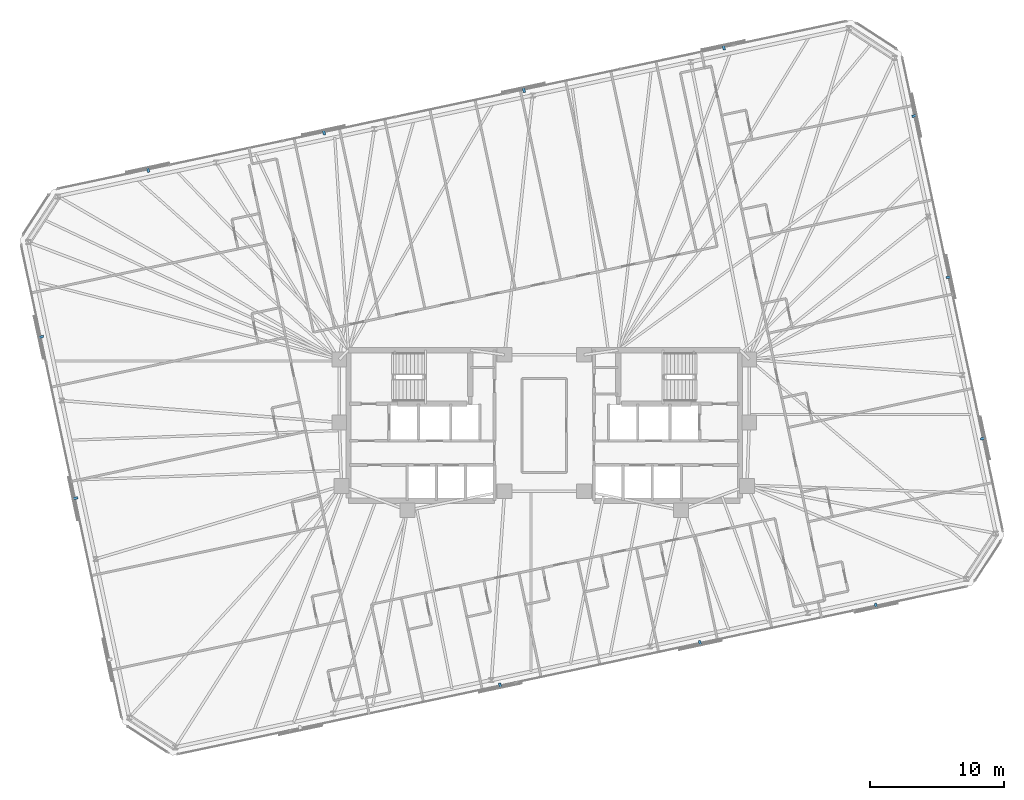
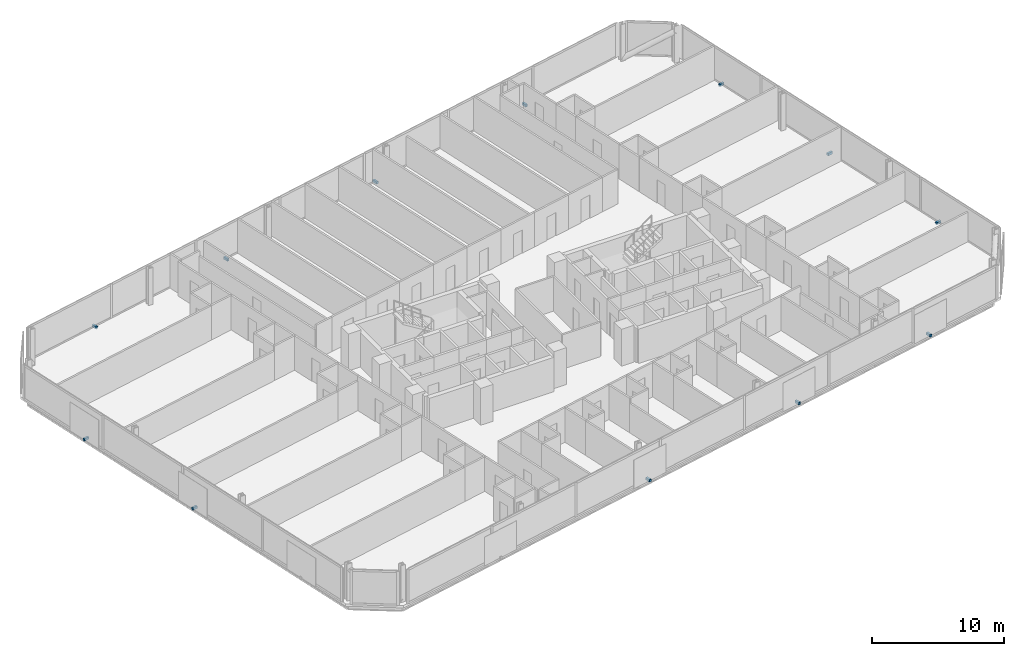
# One storey, part 20 of 21: 12 discrete accessories.
"""IFC4 building model written with IfcOpenShell, lengths in metres."""

from ifc_helpers import new_model, si_unit, direction, frame, origin, origin_2d, place, context, subcontext, project, spatial, rectangle, extrude, material, type_object, element, save


model = new_model("IFC4")

# Units and contexts
model_context = context("Model", 3, precision=1e-05, world=origin(), true_north=direction((0.0, 1.0)))
body_context = subcontext(model_context, "Body", "Model", "MODEL_VIEW")
ifc_project = project(units=[si_unit("LENGTHUNIT", "METRE"), si_unit("AREAUNIT", "SQUARE_METRE"), si_unit("VOLUMEUNIT", "CUBIC_METRE"), si_unit("PLANEANGLEUNIT", "RADIAN"), si_unit("MASSUNIT", "GRAM", prefix="KILO")], contexts=[model_context])

# Site, building, storey
site_placement = place(None, origin())
site = spatial("IfcSite", under=ifc_project, at=site_placement, CompositionType="ELEMENT")
building_placement = place(site_placement, origin())
building = spatial("IfcBuilding", under=site, at=building_placement, Name="Menara Jurai Vektor", CompositionType="ELEMENT")
storey_placement = place(building_placement, frame((0.0, 0.0, 168.39990234375)))
storey = spatial("IfcBuildingStorey", under=building, at=storey_placement, Name="L43", CompositionType="ELEMENT", Elevation=168.39990234375)

# Discrete accessories
ifc_material = material(Name="Steel S355", Category="steel")
discrete_accessory_type = type_object("IfcDiscreteAccessoryType", Name="ENV-ACC-BRACKET", PredefinedType="BRACKET", material=ifc_material)
for number, where, z_axis, x_axis, name in (
    (1, (-3.2802734375, -19.377685546875, -0.1298828125), (0.0, 0.0, 1.0), (0.978147600734, 0.207911690818, 0.0), "Solar Screen Stand-Off Bracket L43-S02"),
    (2, (11.587646484375, -16.21728515625, -0.1298828125), (0.0, 0.0, 1.0), (0.978147600734, 0.207911690818, 0.0), "Solar Screen Stand-Off Bracket L43-S03"),
    (3, (24.67138671875, -13.436279296875, -0.1298828125), (0.0, 0.0, 1.0), (0.978147600734, 0.207911690818, 0.0), "Solar Screen Stand-Off Bracket L43-S04"),
    (4, (32.660400390625, -0.9716796875, -0.1298828125), (0.0, 0.0, 1.0), (-0.207911690818, 0.978147600734, 0.0), "Solar Screen Stand-Off Bracket L43-S05"),
    (5, (30.10986328125, 11.027099609375, -0.1298828125), (0.0, 0.0, 1.0), (-0.207911690818, 0.978147600734, 0.0), "Solar Screen Stand-Off Bracket L43-S06"),
    (6, (27.5595703125, 23.025634765625, -0.1298828125), (0.0, 0.0, 1.0), (-0.207911690818, 0.978147600734, 0.0), "Solar Screen Stand-Off Bracket L43-S07"),
    (7, (13.34814453125, 28.137939453125, -0.1298828125), (0.0, 0.0, 1.0), (-0.978147600734, -0.207911690818, 0.0), "Solar Screen Stand-Off Bracket L43-S08"),
    (8, (-1.519775390625, 24.977783203125, -0.1298828125), (0.0, 0.0, 1.0), (-0.978147600734, -0.207911690818, 0.0), "Solar Screen Stand-Off Bracket L43-S09"),
    (9, (-16.3876953125, 21.8173828125, -0.1298828125), (0.0, 0.0, 1.0), (-0.978147600734, -0.207911690818, 0.0), "Solar Screen Stand-Off Bracket L43-S10"),
    (10, (-29.47119140625, 19.036376953125, -0.1298828125), (0.0, 0.0, 1.0), (-0.978147600734, -0.207911690818, 0.0), "Solar Screen Stand-Off Bracket L43-S11"),
    (11, (-37.460205078125, 6.571533203125, -0.1298828125), (0.0, 0.0, 1.0), (0.207911690818, -0.978147600734, 0.0), "Solar Screen Stand-Off Bracket L43-S12"),
    (12, (-34.909912109375, -5.427001953125, -0.1298828125), (0.0, 0.0, 1.0), (0.207911690818, -0.978147600734, 0.0), "Solar Screen Stand-Off Bracket L43-S13"),
):
    element("IfcDiscreteAccessory", number, at=place(storey_placement, frame(where, z_axis=z_axis, x_axis=x_axis)), inside=storey, type_object=discrete_accessory_type, Name=name, PredefinedType="BRACKET", context=body_context, shape_type="SweptSolid", body=[
        extrude(rectangle(XDim=0.179931640625, YDim=0.43994140625, at=origin_2d()), origin(), (0.0, 0.0, 1.0), 0.219970703125),
    ])

save(model, "model.ifc")
